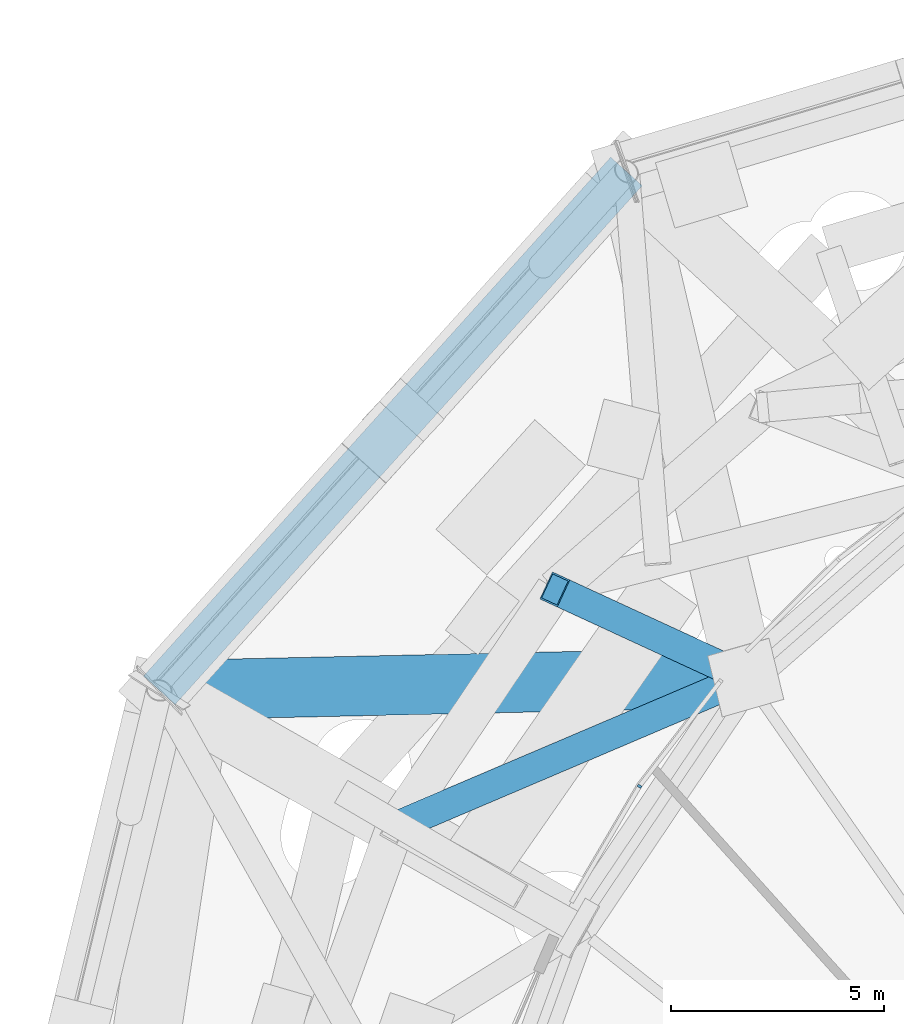
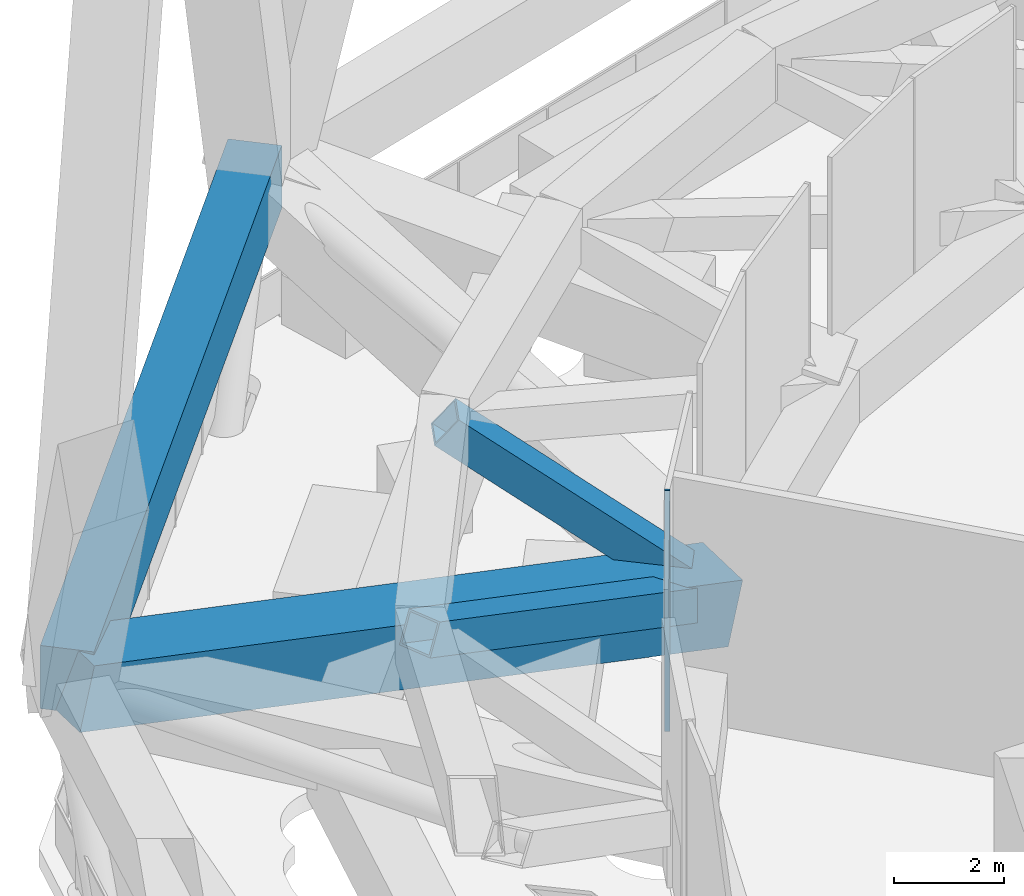
# One storey, part 32 of 60: 3 members, 2 beams, 1 element without a shape of its own.
"""IFC4 building model written with IfcOpenShell, lengths in metres."""

from ifc_helpers import new_model, si_unit, direction, frame, origin, origin_2d, place, context, subcontext, project, spatial, rectangle, hollow_rectangle, extrude, material, layer, layer_set, material_profile, profile_set, type_object, element, aggregate, save


model = new_model("IFC4")

# Units and contexts
model_context = context("Model", 3, precision=1e-05, world=origin(), true_north=direction((0.0, 1.0)))
body_context = subcontext(model_context, "Body", "Model", "MODEL_VIEW")
ifc_project = project(units=[si_unit("LENGTHUNIT", "METRE"), si_unit("AREAUNIT", "SQUARE_METRE"), si_unit("VOLUMEUNIT", "CUBIC_METRE"), si_unit("PLANEANGLEUNIT", "RADIAN"), si_unit("MASSUNIT", "GRAM", prefix="KILO")], contexts=[model_context])

# Site, building, storey
site_placement = place(None, origin())
site = spatial("IfcSite", under=ifc_project, at=site_placement, CompositionType="ELEMENT")
building_placement = place(site_placement, origin())
building = spatial("IfcBuilding", under=site, at=building_placement, Name="Nagisa Residences", CompositionType="ELEMENT")
storey_placement = place(building_placement, frame((0.0, 0.0, 206.60009765625)))
storey = spatial("IfcBuildingStorey", under=building, at=storey_placement, Name="L52", CompositionType="ELEMENT", Elevation=206.60009765625)

# Beams
ifc_material_1 = material(Name="Steel ASTM A572 Gr 50", Category="steel")
ifc_material_profile_1 = material_profile(ifc_material_1, hollow_rectangle(XDim=0.699951171875, YDim=0.699951171875, WallThickness=0.0400390625, at=origin_2d()), Name="BX 700x700x40")
ifc_profile_set_1 = profile_set([ifc_material_profile_1], Name="Steel ASTM A572 Gr 50")
beam_type = type_object("IfcBeamType", Name="Belt diagonal 4 BX 700x700x40", PredefinedType="BEAM", material=ifc_profile_set_1)
beam_1_placement = place(storey_placement, frame((-13.9892578125, 20.064208984375, 0.599853515625), z_axis=(-0.695329519786, 0.321105060422, 0.642968427752), x_axis=(-0.419255945136, -0.907868080983, 0.0)))
element("IfcBeam", 1, at=beam_1_placement, inside=storey, type_object=beam_type, Name="beam:L52:bt4da10", PredefinedType="BEAM", context=body_context, shape_type="SweptSolid", body=[
    extrude(hollow_rectangle(XDim=0.699951171875, YDim=0.699951171875, WallThickness=0.0400390625, at=origin_2d()), origin(), (0.0, 0.0, 1.0), 6.439208984375),
])
beam_2_placement = place(storey_placement, frame((-13.9892578125, 20.064208984375, 0.599853515625), z_axis=(-0.834835545649, -0.355488595816, 0.420330191595), x_axis=(0.39177856666, -0.920059538675, 0.0)))
element("IfcBeam", 2, at=beam_2_placement, inside=storey, type_object=beam_type, Name="beam:L52:bt4db10", PredefinedType="BEAM", context=body_context, shape_type="SweptSolid", body=[
    extrude(hollow_rectangle(XDim=0.699951171875, YDim=0.699951171875, WallThickness=0.0400390625, at=origin_2d()), origin(), (0.0, 0.0, 1.0), 9.849609375),
])

# Curtain wall, member
ifc_material_2 = material(Name="Aluminium curtain wall system", Category="aluminium")
ifc_layer = layer(ifc_material_2, 0.159912109375)
ifc_layer_set = layer_set([ifc_layer], Name="CW5 CURTAIN WALL")
curtain_wall_type = type_object("IfcCurtainWallType", Name="CW5 CURTAIN WALL", PredefinedType="NOTDEFINED", material=ifc_layer_set)
curtain_wall_placement = place(storey_placement, origin())
curtain_wall = element("IfcCurtainWall", 3, at=curtain_wall_placement, inside=storey, type_object=curtain_wall_type, Name="cw:CW5:L52:19", PredefinedType="NOTDEFINED")
ifc_material_3 = material(Name="Aluminium", Category="aluminium")
ifc_material_profile_2 = material_profile(ifc_material_3, rectangle(XDim=0.10009765625, YDim=0.06005859375, at=origin_2d()), Name="CW5 MULLION 100x60")
ifc_profile_set_2 = profile_set([ifc_material_profile_2], Name="Aluminium")
member_type_1 = type_object("IfcMemberType", Name="CW5 MULLION 100x60", PredefinedType="MULLION", material=ifc_profile_set_2)
member_1_placement = place(storey_placement, frame((-16.4775390625, 17.51171875, 0.0), z_axis=(0.0, 0.0, 1.0), x_axis=(0.862328898214, -0.506348567002, 0.0)))
member_1 = element("IfcMember", 4, at=member_1_placement, type_object=member_type_1, Name="CW5 mullion", PredefinedType="MULLION", context=body_context, shape_type="SweptSolid", body=[
    extrude(rectangle(XDim=0.10009765625, YDim=0.06005859375, at=origin_2d()), origin(), (0.0, 0.0, 1.0), 5.33984375),
])
aggregate(curtain_wall, [member_1])

# Members
ifc_material_4 = material(Name="Concrete C80", Category="concrete")
ifc_material_profile_3 = material_profile(ifc_material_4, rectangle(XDim=1.39990234375, YDim=1.39990234375, at=origin_2d()), Name="C80 1400x1400")
ifc_profile_set_3 = profile_set([ifc_material_profile_3], Name="Concrete C80")
member_type_2 = type_object("IfcMemberType", Name="Cage bracket 5 C80 1400x1400", PredefinedType="BRACE", material=ifc_profile_set_3)
member_2_placement = place(storey_placement, frame((-27.7548828125, 19.7626953125, 3.699951171875), z_axis=(0.975344108911, 0.021363329571, -0.219653084119), x_axis=(-0.021898124575, 0.99976020732, 0.0)))
element("IfcMember", 5, at=member_2_placement, inside=storey, type_object=member_type_2, Name="mem:L52:cg4ob06", PredefinedType="BRACE", context=body_context, shape_type="SweptSolid", body=[
    extrude(rectangle(XDim=1.39990234375, YDim=1.39990234375, at=origin_2d()), origin(), (0.0, 0.0, 1.0), 14.113525390625),
])
ifc_material_5 = material(Name="Concrete C80", Category="concrete")
ifc_material_profile_4 = material_profile(ifc_material_5, rectangle(XDim=1.0, YDim=1.39990234375, at=origin_2d()), Name="C80 1000x1400")
ifc_profile_set_4 = profile_set([ifc_material_profile_4], Name="Concrete C80")
member_type_3 = type_object("IfcMemberType", Name="Cage ring 5 C80 1000x1400", PredefinedType="CHORD", material=ifc_profile_set_4)
member_3_placement = place(storey_placement, frame((-16.784912109375, 31.94775390625, 3.699951171875), z_axis=(-0.669079899601, -0.743190478915, 0.0), x_axis=(0.743190478915, -0.669079899601, 0.0)))
element("IfcMember", 6, at=member_3_placement, inside=storey, type_object=member_type_3, Name="beam:L52:cg5r005", PredefinedType="CHORD", context=body_context, shape_type="SweptSolid", body=[
    extrude(rectangle(XDim=1.0, YDim=1.39990234375, at=origin_2d()), origin(), (0.0, 0.0, 1.0), 16.3955078125),
])

save(model, "model.ifc")
